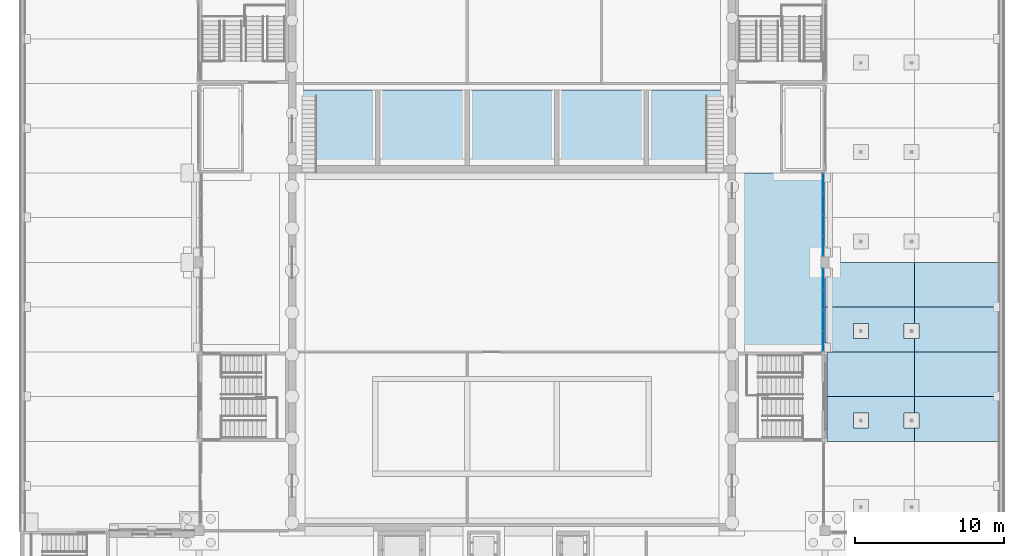
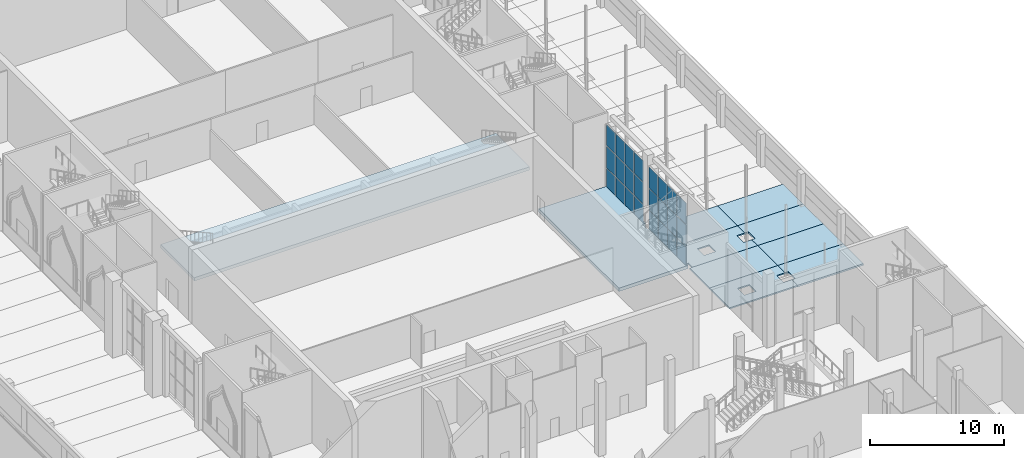
# One storey, part 31 of 95: 24 plates, 10 slabs, 2 elements without a shape of their own.
"""IFC4 building model written with IfcOpenShell, lengths in metres."""

import ifcopenshell
import ifcopenshell.guid

model = None  # the IFC model being written
_history = None  # IfcOwnerHistory: only IFC2X3 demands one
_inside = {}  # id of a spatial element -> (the spatial element, [elements in it])
_under = {}  # id of a project, library or spatial element -> (it, [spatial elements below it])
_declared = {}  # id of a project -> (the project, [libraries it declares])
_typed = {}  # id of a type object -> (the type object, [elements of that type])
_made_of = {}  # id of a material, layer set ... -> (it, [elements and type objects made of it])


def new_model(schema):
    """Start an empty IFC model of exactly this schema.

    Asked for "IFC4X3", IfcOpenShell would pick the latest addendum, in which some entities
    have other attributes; the version numbers below select the first issue.
    IFC2X3 requires an IfcOwnerHistory on every rooted entity: one is made here for all.
    """
    global model, _history
    if schema == "IFC4X3":
        model = ifcopenshell.file(schema_version=(4, 3, 0, 0))
    else:
        model = ifcopenshell.file(schema=schema)
    _inside.clear()
    _under.clear()
    _declared.clear()
    _typed.clear()
    _made_of.clear()
    _history = None
    if model.schema == "IFC2X3":
        org = make("IfcOrganization", Name="unknown")
        user = make(
            "IfcPersonAndOrganization",
            ThePerson=make("IfcPerson", FamilyName="unknown"),
            TheOrganization=org,
        )
        app = make(
            "IfcApplication",
            ApplicationDeveloper=org,
            Version="unknown",
            ApplicationFullName="unknown",
            ApplicationIdentifier="unknown",
        )
        _history = make(
            "IfcOwnerHistory",
            OwningUser=user,
            OwningApplication=app,
            ChangeAction="ADDED",
            CreationDate=0,
        )
    return model


def make(cls, **values):
    """One entity of the class cls with the attributes given. An attribute that is None is left unset."""
    return model.create_entity(
        cls, **{name: value for name, value in values.items() if value is not None}
    )


def rooted(cls, **values):
    """An entity with a GlobalId (a new one), such as an element, a storey or a relation."""
    return make(cls, GlobalId=ifcopenshell.guid.new(), OwnerHistory=_history, **values)


def si_unit(unit_type, name, prefix=None):
    """IfcSIUnit, for example si_unit("LENGTHUNIT", "METRE", prefix="MILLI")."""
    return make("IfcSIUnit", UnitType=unit_type, Prefix=prefix, Name=name)


def assignment(units):
    """IfcUnitAssignment: the units of a project."""
    return None if units is None else make("IfcUnitAssignment", Units=units)


def point(xyz):
    """IfcCartesianPoint."""
    return None if xyz is None else make("IfcCartesianPoint", Coordinates=xyz)


def direction(xyz):
    """IfcDirection."""
    return None if xyz is None else make("IfcDirection", DirectionRatios=xyz)


def frame(location, z_axis=None, x_axis=None):
    """IfcAxis2Placement3D, a coordinate frame: its origin and axes. An axis left out is left unset."""
    return make(
        "IfcAxis2Placement3D",
        Location=point(location),
        Axis=direction(z_axis),
        RefDirection=direction(x_axis),
    )


def frame_2d(location, x_axis=None):
    """IfcAxis2Placement2D, a coordinate frame in the plane: its origin and x axis."""
    return make(
        "IfcAxis2Placement2D", Location=point(location), RefDirection=direction(x_axis)
    )


def origin():
    """The frame at (0, 0, 0) with its axes left unset."""
    return frame((0.0, 0.0, 0.0))


def origin_2d():
    """The frame at (0, 0) in the plane with its x axis left unset."""
    return frame_2d((0.0, 0.0))


def place(relative_to, where):
    """IfcLocalPlacement: puts the frame where relative to a parent placement (None: the world)."""
    return make(
        "IfcLocalPlacement", PlacementRelTo=relative_to, RelativePlacement=where
    )


def context(
    kind, dimensions, precision=None, world=None, true_north=None, identifier=None
):
    """IfcGeometricRepresentationContext, for example the 3D "Model" context."""
    return make(
        "IfcGeometricRepresentationContext",
        ContextIdentifier=identifier,
        ContextType=kind,
        CoordinateSpaceDimension=dimensions,
        Precision=precision,
        WorldCoordinateSystem=world,
        TrueNorth=true_north,
    )


def subcontext(parent, identifier, kind, view, scale=None):
    """IfcGeometricRepresentationSubContext, for example "Body" below "Model"."""
    return make(
        "IfcGeometricRepresentationSubContext",
        ContextIdentifier=identifier,
        ContextType=kind,
        ParentContext=parent,
        TargetScale=scale,
        TargetView=view,
    )


def project(units=None, contexts=None):
    """IfcProject with its units and contexts."""
    return rooted(
        "IfcProject",
        Name="project",
        RepresentationContexts=contexts,
        UnitsInContext=assignment(units),
    )


def spatial(cls, under=None, at=None, **own):
    """A site, building, storey or space (cls), placed at a placement, below another one or the project."""
    s = rooted(cls, ObjectPlacement=at, **own)
    if under is not None:
        _under.setdefault(under.id(), (under, []))[1].append(s)
    return s


def polyline(points):
    """IfcPolyline through the points."""
    return make("IfcPolyline", Points=[point(p) for p in points])


def profile(cls, at=None, kind="AREA", **sizes):
    """A parametric profile (cls). Its sizes go by their IFC names, for example OverallWidth=200.0."""
    return make(cls, ProfileType=kind, Position=at, **sizes)


def rectangle(**sizes):
    """IfcRectangleProfileDef."""
    return profile("IfcRectangleProfileDef", **sizes)


def outline(outer, holes=None, kind="AREA"):
    """IfcArbitraryClosedProfileDef: a profile drawn as a closed curve; with holes, ...WithVoids."""
    if holes is None:
        return make("IfcArbitraryClosedProfileDef", ProfileType=kind, OuterCurve=outer)
    return make(
        "IfcArbitraryProfileDefWithVoids",
        ProfileType=kind,
        OuterCurve=outer,
        InnerCurves=holes,
    )


def extrude(swept, where, along, depth):
    """IfcExtrudedAreaSolid: the profile swept, set in the frame where, extruded along a direction by depth."""
    return make(
        "IfcExtrudedAreaSolid",
        SweptArea=swept,
        Position=where,
        ExtrudedDirection=direction(along),
        Depth=depth,
    )


def shape(context_of_items, identifier, shape_type, items):
    """IfcShapeRepresentation: the items that make up one representation, for example the "Body"."""
    return make(
        "IfcShapeRepresentation",
        ContextOfItems=context_of_items,
        RepresentationIdentifier=identifier,
        RepresentationType=shape_type,
        Items=items,
    )


def material(Name=None, Category=None):
    """IfcMaterial."""
    return make("IfcMaterial", Name=Name, Category=Category)


def layer(
    of_material, thickness, ventilated=None, Name=None, Category=None, Priority=None
):
    """IfcMaterialLayer: one layer of a wall or slab, of a material (None: an air gap)."""
    return make(
        "IfcMaterialLayer",
        Material=of_material,
        LayerThickness=thickness,
        IsVentilated=ventilated,
        Name=Name,
        Category=Category,
        Priority=Priority,
    )


def layer_set(layers, Name=None):
    """IfcMaterialLayerSet."""
    return make("IfcMaterialLayerSet", MaterialLayers=layers, LayerSetName=Name)


def made_of(thing, what):
    """Note that an element or type object is made of a material, layer set ...; save() writes the relation."""
    if what is not None:
        _made_of.setdefault(what.id(), (what, []))[1].append(thing)
    return thing


def type_object(cls, material=None, **own):
    """A type object (cls), such as IfcWallType, which elements share."""
    return made_of(rooted(cls, **own), material)


def element(
    cls,
    number,
    at=None,
    inside=None,
    cuts=None,
    type_object=None,
    material=None,
    context=None,
    identifier="Body",
    shape_type=None,
    held_by="IfcProductDefinitionShape",
    body=None,
    shapes=None,
    **own,
):
    """One element of the class cls, such as IfcWall. Its Tag is "e" and its number.

    at: its placement. inside: the storey or other place that contains it. cuts: it is an
    opening in that element (IfcRelVoidsElement). A single representation is given by context,
    identifier, shape_type and body (its items); several are given by shapes. held_by: the class
    of the entity that holds the representations. save() writes the other relations.
    """
    e = rooted(cls, Tag="e%d" % number, ObjectPlacement=at, **own)
    if body is not None:
        shapes = [shape(context, identifier, shape_type, body)]
    if shapes is not None:
        e.Representation = make(held_by, Representations=shapes)
    if inside is not None:
        _inside.setdefault(inside.id(), (inside, []))[1].append(e)
    if cuts is not None:
        rooted(
            "IfcRelVoidsElement", RelatingBuildingElement=cuts, RelatedOpeningElement=e
        )
    if type_object is not None:
        _typed.setdefault(type_object.id(), (type_object, []))[1].append(e)
    return made_of(e, material)


def aggregate(whole, parts):
    """IfcRelAggregates: a whole, such as a stair, and the parts it consists of."""
    return rooted("IfcRelAggregates", RelatingObject=whole, RelatedObjects=parts)


def save(model, path):
    """Write the relations noted so far, then the file.

    IfcRelAggregates (storeys below a building ...), IfcRelContainedInSpatialStructure (elements
    in a storey), IfcRelDefinesByType, IfcRelAssociatesMaterial and IfcRelDeclares: one each for
    every whole, place, type object, material and project.
    """
    for whole, parts in _under.values():
        aggregate(whole, parts)
    for where, things in _inside.values():
        rooted(
            "IfcRelContainedInSpatialStructure",
            RelatedElements=things,
            RelatingStructure=where,
        )
    for kind, things in _typed.values():
        rooted("IfcRelDefinesByType", RelatedObjects=things, RelatingType=kind)
    for what, things in _made_of.values():
        rooted("IfcRelAssociatesMaterial", RelatedObjects=things, RelatingMaterial=what)
    for by, libraries in _declared.values():
        rooted("IfcRelDeclares", RelatingContext=by, RelatedDefinitions=libraries)
    model.write(path)


model = new_model("IFC4")

# Units and contexts
model_context = context("Model", 3, precision=1e-05, world=origin(), true_north=direction((0.0, 1.0)))
body_context = subcontext(model_context, "Body", "Model", "MODEL_VIEW")
ifc_project = project(units=[si_unit("LENGTHUNIT", "METRE"), si_unit("AREAUNIT", "SQUARE_METRE"), si_unit("VOLUMEUNIT", "CUBIC_METRE"), si_unit("PLANEANGLEUNIT", "RADIAN"), si_unit("MASSUNIT", "GRAM", prefix="KILO")], contexts=[model_context])

# Site, building, storey
site_placement = place(None, origin())
site = spatial("IfcSite", under=ifc_project, at=site_placement, CompositionType="ELEMENT")
building_placement = place(site_placement, origin())
building = spatial("IfcBuilding", under=site, at=building_placement, Name="Saffron Lane Theatres", CompositionType="ELEMENT")
storey_placement = place(building_placement, origin())
storey = spatial("IfcBuildingStorey", under=building, at=storey_placement, Name="L00", CompositionType="ELEMENT", Elevation=0.0)

# Curtain wall, plates
ifc_material_1 = material(Name="Aluminium", Category="aluminium")
curtain_wall_type = type_object("IfcCurtainWallType", Name="EX-CURTAIN WALL 5620x6050x200", PredefinedType="NOTDEFINED", material=ifc_material_1)
curtain_wall_1_placement = place(storey_placement, origin())
curtain_wall_1 = element("IfcCurtainWall", 1, at=curtain_wall_1_placement, inside=storey, type_object=curtain_wall_type, Name="Curtain wall L00 07", PredefinedType="NOTDEFINED")
ifc_material_2 = material(Name="Glass", Category="glass")
ifc_layer_1 = layer(ifc_material_2, 0.031982421875)
ifc_layer_set_1 = layer_set([ifc_layer_1], Name="Glass")
plate_type = type_object("IfcPlateType", Name="EX-CW PANEL GLAZING 32", PredefinedType="CURTAIN_PANEL", material=ifc_layer_set_1)
plate_1_placement = place(storey_placement, frame((53.85009765625, 53.281982421875, 0.06005859375), z_axis=(0.0, 0.0, 1.0), x_axis=(0.0, -1.0, 0.0)))
plate_1 = element("IfcPlate", 2, at=plate_1_placement, type_object=plate_type, Name="CW-00-07 panel 1.1", PredefinedType="CURTAIN_PANEL", context=body_context, shape_type="SweptSolid", body=[
    extrude(rectangle(XDim=1.316162109375, YDim=0.031982421875, at=origin_2d()), origin(), (0.0, 0.0, 1.0), 1.926513671875),
])
plate_2_placement = place(storey_placement, frame((53.85009765625, 53.281982421875, 2.04638671875), z_axis=(0.0, 0.0, 1.0), x_axis=(0.0, -1.0, 0.0)))
plate_2 = element("IfcPlate", 3, at=plate_2_placement, type_object=plate_type, Name="CW-00-07 panel 1.2", PredefinedType="CURTAIN_PANEL", context=body_context, shape_type="SweptSolid", body=[
    extrude(rectangle(XDim=1.316162109375, YDim=0.031982421875, at=origin_2d()), origin(), (0.0, 0.0, 1.0), 1.956787109375),
])
plate_3_placement = place(storey_placement, frame((53.85009765625, 53.281982421875, 4.0634765625), z_axis=(0.0, 0.0, 1.0), x_axis=(0.0, -1.0, 0.0)))
plate_3 = element("IfcPlate", 4, at=plate_3_placement, type_object=plate_type, Name="CW-00-07 panel 1.3", PredefinedType="CURTAIN_PANEL", context=body_context, shape_type="SweptSolid", body=[
    extrude(rectangle(XDim=1.316162109375, YDim=0.031982421875, at=origin_2d()), origin(), (0.0, 0.0, 1.0), 1.926513671875),
])
plate_4_placement = place(storey_placement, frame((53.85009765625, 51.890625, 0.06005859375), z_axis=(0.0, 0.0, 1.0), x_axis=(0.0, -1.0, 0.0)))
plate_4 = element("IfcPlate", 5, at=plate_4_placement, type_object=plate_type, Name="CW-00-07 panel 2.1", PredefinedType="CURTAIN_PANEL", context=body_context, shape_type="SweptSolid", body=[
    extrude(rectangle(XDim=1.34619140625, YDim=0.031982421875, at=origin_2d()), origin(), (0.0, 0.0, 1.0), 1.926513671875),
])
plate_5_placement = place(storey_placement, frame((53.85009765625, 51.890625, 2.04638671875), z_axis=(0.0, 0.0, 1.0), x_axis=(0.0, -1.0, 0.0)))
plate_5 = element("IfcPlate", 6, at=plate_5_placement, type_object=plate_type, Name="CW-00-07 panel 2.2", PredefinedType="CURTAIN_PANEL", context=body_context, shape_type="SweptSolid", body=[
    extrude(rectangle(XDim=1.34619140625, YDim=0.031982421875, at=origin_2d()), origin(), (0.0, 0.0, 1.0), 1.956787109375),
])
plate_6_placement = place(storey_placement, frame((53.85009765625, 51.890625, 4.0634765625), z_axis=(0.0, 0.0, 1.0), x_axis=(0.0, -1.0, 0.0)))
plate_6 = element("IfcPlate", 7, at=plate_6_placement, type_object=plate_type, Name="CW-00-07 panel 2.3", PredefinedType="CURTAIN_PANEL", context=body_context, shape_type="SweptSolid", body=[
    extrude(rectangle(XDim=1.34619140625, YDim=0.031982421875, at=origin_2d()), origin(), (0.0, 0.0, 1.0), 1.926513671875),
])
plate_7_placement = place(storey_placement, frame((53.85009765625, 50.484375, 0.06005859375), z_axis=(0.0, 0.0, 1.0), x_axis=(0.0, -1.0, 0.0)))
plate_7 = element("IfcPlate", 8, at=plate_7_placement, type_object=plate_type, Name="CW-00-07 panel 3.1", PredefinedType="CURTAIN_PANEL", context=body_context, shape_type="SweptSolid", body=[
    extrude(rectangle(XDim=1.34619140625, YDim=0.031982421875, at=origin_2d()), origin(), (0.0, 0.0, 1.0), 1.926513671875),
])
plate_8_placement = place(storey_placement, frame((53.85009765625, 50.484375, 2.04638671875), z_axis=(0.0, 0.0, 1.0), x_axis=(0.0, -1.0, 0.0)))
plate_8 = element("IfcPlate", 9, at=plate_8_placement, type_object=plate_type, Name="CW-00-07 panel 3.2", PredefinedType="CURTAIN_PANEL", context=body_context, shape_type="SweptSolid", body=[
    extrude(rectangle(XDim=1.34619140625, YDim=0.031982421875, at=origin_2d()), origin(), (0.0, 0.0, 1.0), 1.956787109375),
])
plate_9_placement = place(storey_placement, frame((53.85009765625, 50.484375, 4.0634765625), z_axis=(0.0, 0.0, 1.0), x_axis=(0.0, -1.0, 0.0)))
plate_9 = element("IfcPlate", 10, at=plate_9_placement, type_object=plate_type, Name="CW-00-07 panel 3.3", PredefinedType="CURTAIN_PANEL", context=body_context, shape_type="SweptSolid", body=[
    extrude(rectangle(XDim=1.34619140625, YDim=0.031982421875, at=origin_2d()), origin(), (0.0, 0.0, 1.0), 1.926513671875),
])
plate_10_placement = place(storey_placement, frame((53.85009765625, 49.093017578125, 0.06005859375), z_axis=(0.0, 0.0, 1.0), x_axis=(0.0, -1.0, 0.0)))
plate_10 = element("IfcPlate", 11, at=plate_10_placement, type_object=plate_type, Name="CW-00-07 panel 4.1", PredefinedType="CURTAIN_PANEL", context=body_context, shape_type="SweptSolid", body=[
    extrude(rectangle(XDim=1.316162109375, YDim=0.031982421875, at=origin_2d()), origin(), (0.0, 0.0, 1.0), 1.926513671875),
])
plate_11_placement = place(storey_placement, frame((53.85009765625, 49.093017578125, 2.04638671875), z_axis=(0.0, 0.0, 1.0), x_axis=(0.0, -1.0, 0.0)))
plate_11 = element("IfcPlate", 12, at=plate_11_placement, type_object=plate_type, Name="CW-00-07 panel 4.2", PredefinedType="CURTAIN_PANEL", context=body_context, shape_type="SweptSolid", body=[
    extrude(rectangle(XDim=1.316162109375, YDim=0.031982421875, at=origin_2d()), origin(), (0.0, 0.0, 1.0), 1.956787109375),
])
plate_12_placement = place(storey_placement, frame((53.85009765625, 49.093017578125, 4.0634765625), z_axis=(0.0, 0.0, 1.0), x_axis=(0.0, -1.0, 0.0)))
plate_12 = element("IfcPlate", 13, at=plate_12_placement, type_object=plate_type, Name="CW-00-07 panel 4.3", PredefinedType="CURTAIN_PANEL", context=body_context, shape_type="SweptSolid", body=[
    extrude(rectangle(XDim=1.316162109375, YDim=0.031982421875, at=origin_2d()), origin(), (0.0, 0.0, 1.0), 1.926513671875),
])
aggregate(curtain_wall_1, [plate_1, plate_2, plate_3, plate_4, plate_5, plate_6, plate_7, plate_8, plate_9, plate_10, plate_11, plate_12])

curtain_wall_2_placement = place(storey_placement, origin())
curtain_wall_2 = element("IfcCurtainWall", 14, at=curtain_wall_2_placement, inside=storey, type_object=curtain_wall_type, Name="Curtain wall L00 08", PredefinedType="NOTDEFINED")
plate_13_placement = place(storey_placement, frame((53.85009765625, 46.906982421875, 0.06005859375), z_axis=(0.0, 0.0, 1.0), x_axis=(0.0, -1.0, 0.0)))
plate_13 = element("IfcPlate", 15, at=plate_13_placement, type_object=plate_type, Name="CW-00-08 panel 1.1", PredefinedType="CURTAIN_PANEL", context=body_context, shape_type="SweptSolid", body=[
    extrude(rectangle(XDim=1.316162109375, YDim=0.031982421875, at=origin_2d()), origin(), (0.0, 0.0, 1.0), 1.926513671875),
])
plate_14_placement = place(storey_placement, frame((53.85009765625, 46.906982421875, 2.04638671875), z_axis=(0.0, 0.0, 1.0), x_axis=(0.0, -1.0, 0.0)))
plate_14 = element("IfcPlate", 16, at=plate_14_placement, type_object=plate_type, Name="CW-00-08 panel 1.2", PredefinedType="CURTAIN_PANEL", context=body_context, shape_type="SweptSolid", body=[
    extrude(rectangle(XDim=1.316162109375, YDim=0.031982421875, at=origin_2d()), origin(), (0.0, 0.0, 1.0), 1.956787109375),
])
plate_15_placement = place(storey_placement, frame((53.85009765625, 46.906982421875, 4.0634765625), z_axis=(0.0, 0.0, 1.0), x_axis=(0.0, -1.0, 0.0)))
plate_15 = element("IfcPlate", 17, at=plate_15_placement, type_object=plate_type, Name="CW-00-08 panel 1.3", PredefinedType="CURTAIN_PANEL", context=body_context, shape_type="SweptSolid", body=[
    extrude(rectangle(XDim=1.316162109375, YDim=0.031982421875, at=origin_2d()), origin(), (0.0, 0.0, 1.0), 1.926513671875),
])
plate_16_placement = place(storey_placement, frame((53.85009765625, 45.515625, 0.06005859375), z_axis=(0.0, 0.0, 1.0), x_axis=(0.0, -1.0, 0.0)))
plate_16 = element("IfcPlate", 18, at=plate_16_placement, type_object=plate_type, Name="CW-00-08 panel 2.1", PredefinedType="CURTAIN_PANEL", context=body_context, shape_type="SweptSolid", body=[
    extrude(rectangle(XDim=1.34619140625, YDim=0.031982421875, at=origin_2d()), origin(), (0.0, 0.0, 1.0), 1.926513671875),
])
plate_17_placement = place(storey_placement, frame((53.85009765625, 45.515625, 2.04638671875), z_axis=(0.0, 0.0, 1.0), x_axis=(0.0, -1.0, 0.0)))
plate_17 = element("IfcPlate", 19, at=plate_17_placement, type_object=plate_type, Name="CW-00-08 panel 2.2", PredefinedType="CURTAIN_PANEL", context=body_context, shape_type="SweptSolid", body=[
    extrude(rectangle(XDim=1.34619140625, YDim=0.031982421875, at=origin_2d()), origin(), (0.0, 0.0, 1.0), 1.956787109375),
])
plate_18_placement = place(storey_placement, frame((53.85009765625, 45.515625, 4.0634765625), z_axis=(0.0, 0.0, 1.0), x_axis=(0.0, -1.0, 0.0)))
plate_18 = element("IfcPlate", 20, at=plate_18_placement, type_object=plate_type, Name="CW-00-08 panel 2.3", PredefinedType="CURTAIN_PANEL", context=body_context, shape_type="SweptSolid", body=[
    extrude(rectangle(XDim=1.34619140625, YDim=0.031982421875, at=origin_2d()), origin(), (0.0, 0.0, 1.0), 1.926513671875),
])
plate_19_placement = place(storey_placement, frame((53.85009765625, 44.109375, 0.06005859375), z_axis=(0.0, 0.0, 1.0), x_axis=(0.0, -1.0, 0.0)))
plate_19 = element("IfcPlate", 21, at=plate_19_placement, type_object=plate_type, Name="CW-00-08 panel 3.1", PredefinedType="CURTAIN_PANEL", context=body_context, shape_type="SweptSolid", body=[
    extrude(rectangle(XDim=1.34619140625, YDim=0.031982421875, at=origin_2d()), origin(), (0.0, 0.0, 1.0), 1.926513671875),
])
plate_20_placement = place(storey_placement, frame((53.85009765625, 44.109375, 2.04638671875), z_axis=(0.0, 0.0, 1.0), x_axis=(0.0, -1.0, 0.0)))
plate_20 = element("IfcPlate", 22, at=plate_20_placement, type_object=plate_type, Name="CW-00-08 panel 3.2", PredefinedType="CURTAIN_PANEL", context=body_context, shape_type="SweptSolid", body=[
    extrude(rectangle(XDim=1.34619140625, YDim=0.031982421875, at=origin_2d()), origin(), (0.0, 0.0, 1.0), 1.956787109375),
])
plate_21_placement = place(storey_placement, frame((53.85009765625, 44.109375, 4.0634765625), z_axis=(0.0, 0.0, 1.0), x_axis=(0.0, -1.0, 0.0)))
plate_21 = element("IfcPlate", 23, at=plate_21_placement, type_object=plate_type, Name="CW-00-08 panel 3.3", PredefinedType="CURTAIN_PANEL", context=body_context, shape_type="SweptSolid", body=[
    extrude(rectangle(XDim=1.34619140625, YDim=0.031982421875, at=origin_2d()), origin(), (0.0, 0.0, 1.0), 1.926513671875),
])
plate_22_placement = place(storey_placement, frame((53.85009765625, 42.718017578125, 0.06005859375), z_axis=(0.0, 0.0, 1.0), x_axis=(0.0, -1.0, 0.0)))
plate_22 = element("IfcPlate", 24, at=plate_22_placement, type_object=plate_type, Name="CW-00-08 panel 4.1", PredefinedType="CURTAIN_PANEL", context=body_context, shape_type="SweptSolid", body=[
    extrude(rectangle(XDim=1.316162109375, YDim=0.031982421875, at=origin_2d()), origin(), (0.0, 0.0, 1.0), 1.926513671875),
])
plate_23_placement = place(storey_placement, frame((53.85009765625, 42.718017578125, 2.04638671875), z_axis=(0.0, 0.0, 1.0), x_axis=(0.0, -1.0, 0.0)))
plate_23 = element("IfcPlate", 25, at=plate_23_placement, type_object=plate_type, Name="CW-00-08 panel 4.2", PredefinedType="CURTAIN_PANEL", context=body_context, shape_type="SweptSolid", body=[
    extrude(rectangle(XDim=1.316162109375, YDim=0.031982421875, at=origin_2d()), origin(), (0.0, 0.0, 1.0), 1.956787109375),
])
plate_24_placement = place(storey_placement, frame((53.85009765625, 42.718017578125, 4.0634765625), z_axis=(0.0, 0.0, 1.0), x_axis=(0.0, -1.0, 0.0)))
plate_24 = element("IfcPlate", 26, at=plate_24_placement, type_object=plate_type, Name="CW-00-08 panel 4.3", PredefinedType="CURTAIN_PANEL", context=body_context, shape_type="SweptSolid", body=[
    extrude(rectangle(XDim=1.316162109375, YDim=0.031982421875, at=origin_2d()), origin(), (0.0, 0.0, 1.0), 1.926513671875),
])
aggregate(curtain_wall_2, [plate_13, plate_14, plate_15, plate_16, plate_17, plate_18, plate_19, plate_20, plate_21, plate_22, plate_23, plate_24])

# Slabs
ifc_material_3 = material(Name="Masonry bluestone paving", Category="masonry")
ifc_layer_2 = layer(ifc_material_3, 0.1201171875)
ifc_layer_set_2 = layer_set([ifc_layer_2], Name="Masonry bluestone paving")
slab_type_1 = type_object("IfcSlabType", Name="EX-PAVING BLUESTONE 120", PredefinedType="USERDEFINED", material=ifc_layer_set_2)
slab_1_placement = place(storey_placement, frame((0.0, 0.0, -0.1201171875)))
element("IfcSlab", 27, at=slab_1_placement, inside=storey, type_object=slab_type_1, Name="Saffron Lane passage paving 4", ObjectType="PAVING", PredefinedType="USERDEFINED", context=body_context, shape_type="SweptSolid", body=[
    extrude(outline(polyline([(60.0, 39.0), (60.0, 42.0), (54.35400390625, 42.0), (54.35400390625, 41.99951171875), (54.35400390625, 41.999267578125), (54.353759765625, 41.998779296875), (54.353759765625, 41.99853515625), (54.353515625, 41.998046875), (54.353271484375, 41.997802734375), (54.35302734375, 41.99755859375), (54.352783203125, 41.9970703125), (54.3525390625, 41.996826171875), (54.352294921875, 41.99658203125), (54.351806640625, 41.99658203125), (54.3515625, 41.996337890625), (54.35107421875, 41.99609375), (54.350830078125, 41.99609375), (54.350341796875, 41.99609375), (54.35009765625, 41.99609375), (54.1201171875, 41.99609375), (54.1201171875, 39.0), (60.0, 39.0)])), origin(), (0.0, 0.0, 1.0), 0.1201171875),
])
slab_2_placement = place(storey_placement, frame((0.0, 0.0, -0.1201171875)))
element("IfcSlab", 28, at=slab_2_placement, inside=storey, type_object=slab_type_1, Name="Saffron Lane passage paving 6", ObjectType="PAVING", PredefinedType="USERDEFINED", context=body_context, shape_type="SweptSolid", body=[
    extrude(outline(polyline([(60.0, 45.0), (60.0, 48.0), (54.279052734375, 48.0), (54.279052734375, 47.62890625), (54.35009765625, 47.62890625), (54.350341796875, 47.62890625), (54.350830078125, 47.62890625), (54.35107421875, 47.62890625), (54.3515625, 47.628662109375), (54.351806640625, 47.62841796875), (54.352294921875, 47.62841796875), (54.3525390625, 47.628173828125), (54.352783203125, 47.6279296875), (54.35302734375, 47.62744140625), (54.353271484375, 47.627197265625), (54.353515625, 47.626953125), (54.353759765625, 47.62646484375), (54.353759765625, 47.626220703125), (54.35400390625, 47.625732421875), (54.35400390625, 47.62548828125), (54.35400390625, 47.625), (54.35400390625, 47.02490234375), (54.35400390625, 47.024658203125), (54.35400390625, 47.024169921875), (54.353759765625, 47.02392578125), (54.353759765625, 47.0234375), (54.353515625, 47.023193359375), (54.353271484375, 47.022705078125), (54.35302734375, 47.0224609375), (54.352783203125, 47.022216796875), (54.3525390625, 47.02197265625), (54.352294921875, 47.021728515625), (54.351806640625, 47.021484375), (54.3515625, 47.021240234375), (54.35107421875, 47.021240234375), (54.350830078125, 47.02099609375), (54.350341796875, 47.02099609375), (54.35009765625, 47.02099609375), (54.00390625, 47.02099609375), (54.00390625, 45.0), (60.0, 45.0)])), origin(), (0.0, 0.0, 1.0), 0.1201171875),
])
ifc_material_4 = material(Name="Masonry bluestone paving", Category="masonry")
ifc_layer_3 = layer(ifc_material_4, 0.14990234375)
ifc_layer_set_3 = layer_set([ifc_layer_3], Name="Masonry bluestone paving")
slab_type_2 = type_object("IfcSlabType", Name="EX-PAVING BLUESTONE 150", PredefinedType="USERDEFINED", material=ifc_layer_set_3)
slab_3_placement = place(storey_placement, frame((0.0, 0.0, -0.14990234375)))
element("IfcSlab", 29, at=slab_3_placement, inside=storey, type_object=slab_type_2, Name="East court paving 7", ObjectType="PAVING", PredefinedType="USERDEFINED", context=body_context, shape_type="SweptSolid", body=[
    extrude(outline(polyline([(60.0, 42.0), (60.0, 39.0), (65.68603515625, 39.0), (65.68603515625, 42.0), (60.0, 42.0)])), origin(), (0.0, 0.0, 1.0), 0.14990234375),
])
slab_4_placement = place(storey_placement, frame((0.0, 0.0, -0.14990234375)))
element("IfcSlab", 30, at=slab_4_placement, inside=storey, type_object=slab_type_2, Name="East court paving 11", ObjectType="PAVING", PredefinedType="USERDEFINED", context=body_context, shape_type="SweptSolid", body=[
    extrude(outline(polyline([(60.0, 48.0), (60.0, 45.0), (65.68603515625, 45.0), (65.68603515625, 48.0), (60.0, 48.0)])), origin(), (0.0, 0.0, 1.0), 0.14990234375),
])
ifc_material_5 = material(Name="Masonry sandstone paving", Category="masonry")
ifc_layer_4 = layer(ifc_material_5, 0.1201171875)
ifc_layer_set_4 = layer_set([ifc_layer_4], Name="Masonry sandstone paving")
slab_type_3 = type_object("IfcSlabType", Name="EX-PAVING SANDSTONE 120", PredefinedType="USERDEFINED", material=ifc_layer_set_4)
slab_5_placement = place(storey_placement, frame((0.0, 0.0, -0.1201171875)))
element("IfcSlab", 31, at=slab_5_placement, inside=storey, type_object=slab_type_3, Name="Saffron Lane passage paving 3", ObjectType="PAVING", PredefinedType="USERDEFINED", context=body_context, shape_type="SweptSolid", body=[
    extrude(outline(polyline([(60.0, 37.904052734375), (60.0, 39.0), (54.1201171875, 39.0), (54.1201171875, 36.0), (60.0, 36.0), (60.0, 36.89599609375), (59.300048828125, 36.89599609375), (59.299560546875, 36.89599609375), (59.29931640625, 36.89599609375), (59.298828125, 36.896240234375), (59.298583984375, 36.896240234375), (59.298095703125, 36.896484375), (59.2978515625, 36.896728515625), (59.29736328125, 36.89697265625), (59.297119140625, 36.897216796875), (59.296875, 36.8974609375), (59.296630859375, 36.897705078125), (59.29638671875, 36.898193359375), (59.29638671875, 36.8984375), (59.296142578125, 36.89892578125), (59.296142578125, 36.899169921875), (59.2958984375, 36.899658203125), (59.2958984375, 36.89990234375), (59.2958984375, 37.89990234375), (59.2958984375, 37.900390625), (59.296142578125, 37.90087890625), (59.296142578125, 37.901123046875), (59.29638671875, 37.901611328125), (59.29638671875, 37.90185546875), (59.296630859375, 37.90234375), (59.296875, 37.902587890625), (59.297119140625, 37.90283203125), (59.29736328125, 37.903076171875), (59.2978515625, 37.9033203125), (59.298095703125, 37.903564453125), (59.298583984375, 37.90380859375), (59.298828125, 37.90380859375), (59.29931640625, 37.90380859375), (59.299560546875, 37.904052734375), (59.300048828125, 37.904052734375), (60.0, 37.904052734375)]), holes=[polyline([(55.89599609375, 37.90087890625), (55.896240234375, 37.901123046875), (55.896240234375, 37.901611328125), (55.896484375, 37.90185546875), (55.896728515625, 37.90234375), (55.89697265625, 37.902587890625), (55.897216796875, 37.90283203125), (55.8974609375, 37.903076171875), (55.897705078125, 37.9033203125), (55.898193359375, 37.903564453125), (55.8984375, 37.90380859375), (55.89892578125, 37.90380859375), (55.899169921875, 37.90380859375), (55.899658203125, 37.904052734375), (55.89990234375, 37.904052734375), (56.89990234375, 37.904052734375), (56.900390625, 37.904052734375), (56.90087890625, 37.90380859375), (56.901123046875, 37.90380859375), (56.901611328125, 37.90380859375), (56.90185546875, 37.903564453125), (56.90234375, 37.9033203125), (56.902587890625, 37.903076171875), (56.90283203125, 37.90283203125), (56.903076171875, 37.902587890625), (56.9033203125, 37.90234375), (56.903564453125, 37.90185546875), (56.90380859375, 37.901611328125), (56.90380859375, 37.901123046875), (56.90380859375, 37.90087890625), (56.904052734375, 37.900390625), (56.904052734375, 37.89990234375), (56.904052734375, 36.89990234375), (56.904052734375, 36.899658203125), (56.90380859375, 36.899169921875), (56.90380859375, 36.89892578125), (56.90380859375, 36.8984375), (56.903564453125, 36.898193359375), (56.9033203125, 36.897705078125), (56.903076171875, 36.8974609375), (56.90283203125, 36.897216796875), (56.902587890625, 36.89697265625), (56.90234375, 36.896728515625), (56.90185546875, 36.896484375), (56.901611328125, 36.896240234375), (56.901123046875, 36.896240234375), (56.90087890625, 36.89599609375), (56.900390625, 36.89599609375), (56.89990234375, 36.89599609375), (55.89990234375, 36.89599609375), (55.899658203125, 36.89599609375), (55.899169921875, 36.89599609375), (55.89892578125, 36.896240234375), (55.8984375, 36.896240234375), (55.898193359375, 36.896484375), (55.897705078125, 36.896728515625), (55.8974609375, 36.89697265625), (55.897216796875, 36.897216796875), (55.89697265625, 36.8974609375), (55.896728515625, 36.897705078125), (55.896484375, 36.898193359375), (55.896240234375, 36.8984375), (55.896240234375, 36.89892578125), (55.89599609375, 36.899169921875), (55.89599609375, 36.899658203125), (55.89599609375, 36.89990234375), (55.89599609375, 37.89990234375), (55.89599609375, 37.900390625), (55.89599609375, 37.90087890625)])]), origin(), (0.0, 0.0, 1.0), 0.1201171875),
])
slab_6_placement = place(storey_placement, frame((0.0, 0.0, -0.1201171875)))
element("IfcSlab", 32, at=slab_6_placement, inside=storey, type_object=slab_type_3, Name="Saffron Lane passage paving 5", ObjectType="PAVING", PredefinedType="USERDEFINED", context=body_context, shape_type="SweptSolid", body=[
    extrude(outline(polyline([(60.0, 43.904052734375), (60.0, 45.0), (54.00390625, 45.0), (54.00390625, 42.60400390625), (54.35009765625, 42.60400390625), (54.350341796875, 42.60400390625), (54.350830078125, 42.60400390625), (54.35107421875, 42.603759765625), (54.3515625, 42.603759765625), (54.351806640625, 42.603515625), (54.352294921875, 42.603271484375), (54.3525390625, 42.60302734375), (54.352783203125, 42.602783203125), (54.35302734375, 42.6025390625), (54.353271484375, 42.602294921875), (54.353515625, 42.601806640625), (54.353759765625, 42.6015625), (54.353759765625, 42.60107421875), (54.35400390625, 42.600830078125), (54.35400390625, 42.600341796875), (54.35400390625, 42.60009765625), (54.35400390625, 42.0), (60.0, 42.0), (60.0, 42.89599609375), (59.300048828125, 42.89599609375), (59.299560546875, 42.89599609375), (59.29931640625, 42.89599609375), (59.298828125, 42.896240234375), (59.298583984375, 42.896240234375), (59.298095703125, 42.896484375), (59.2978515625, 42.896728515625), (59.29736328125, 42.89697265625), (59.297119140625, 42.897216796875), (59.296875, 42.8974609375), (59.296630859375, 42.897705078125), (59.29638671875, 42.898193359375), (59.29638671875, 42.8984375), (59.296142578125, 42.89892578125), (59.296142578125, 42.899169921875), (59.2958984375, 42.899658203125), (59.2958984375, 42.89990234375), (59.2958984375, 43.89990234375), (59.2958984375, 43.900390625), (59.296142578125, 43.90087890625), (59.296142578125, 43.901123046875), (59.29638671875, 43.901611328125), (59.29638671875, 43.90185546875), (59.296630859375, 43.90234375), (59.296875, 43.902587890625), (59.297119140625, 43.90283203125), (59.29736328125, 43.903076171875), (59.2978515625, 43.9033203125), (59.298095703125, 43.903564453125), (59.298583984375, 43.90380859375), (59.298828125, 43.90380859375), (59.29931640625, 43.90380859375), (59.299560546875, 43.904052734375), (59.300048828125, 43.904052734375), (60.0, 43.904052734375)]), holes=[polyline([(55.89599609375, 43.90087890625), (55.896240234375, 43.901123046875), (55.896240234375, 43.901611328125), (55.896484375, 43.90185546875), (55.896728515625, 43.90234375), (55.89697265625, 43.902587890625), (55.897216796875, 43.90283203125), (55.8974609375, 43.903076171875), (55.897705078125, 43.9033203125), (55.898193359375, 43.903564453125), (55.8984375, 43.90380859375), (55.89892578125, 43.90380859375), (55.899169921875, 43.90380859375), (55.899658203125, 43.904052734375), (55.89990234375, 43.904052734375), (56.89990234375, 43.904052734375), (56.900390625, 43.904052734375), (56.90087890625, 43.90380859375), (56.901123046875, 43.90380859375), (56.901611328125, 43.90380859375), (56.90185546875, 43.903564453125), (56.90234375, 43.9033203125), (56.902587890625, 43.903076171875), (56.90283203125, 43.90283203125), (56.903076171875, 43.902587890625), (56.9033203125, 43.90234375), (56.903564453125, 43.90185546875), (56.90380859375, 43.901611328125), (56.90380859375, 43.901123046875), (56.90380859375, 43.90087890625), (56.904052734375, 43.900390625), (56.904052734375, 43.89990234375), (56.904052734375, 42.89990234375), (56.904052734375, 42.899658203125), (56.90380859375, 42.899169921875), (56.90380859375, 42.89892578125), (56.90380859375, 42.8984375), (56.903564453125, 42.898193359375), (56.9033203125, 42.897705078125), (56.903076171875, 42.8974609375), (56.90283203125, 42.897216796875), (56.902587890625, 42.89697265625), (56.90234375, 42.896728515625), (56.90185546875, 42.896484375), (56.901611328125, 42.896240234375), (56.901123046875, 42.896240234375), (56.90087890625, 42.89599609375), (56.900390625, 42.89599609375), (56.89990234375, 42.89599609375), (55.89990234375, 42.89599609375), (55.899658203125, 42.89599609375), (55.899169921875, 42.89599609375), (55.89892578125, 42.896240234375), (55.8984375, 42.896240234375), (55.898193359375, 42.896484375), (55.897705078125, 42.896728515625), (55.8974609375, 42.89697265625), (55.897216796875, 42.897216796875), (55.89697265625, 42.8974609375), (55.896728515625, 42.897705078125), (55.896484375, 42.898193359375), (55.896240234375, 42.8984375), (55.896240234375, 42.89892578125), (55.89599609375, 42.899169921875), (55.89599609375, 42.899658203125), (55.89599609375, 42.89990234375), (55.89599609375, 43.89990234375), (55.89599609375, 43.900390625), (55.89599609375, 43.90087890625)])]), origin(), (0.0, 0.0, 1.0), 0.1201171875),
])
ifc_material_6 = material(Name="Masonry sandstone paving", Category="masonry")
ifc_layer_5 = layer(ifc_material_6, 0.14990234375)
ifc_layer_set_5 = layer_set([ifc_layer_5], Name="Masonry sandstone paving")
slab_type_4 = type_object("IfcSlabType", Name="EX-PAVING SANDSTONE 150", PredefinedType="USERDEFINED", material=ifc_layer_set_5)
slab_7_placement = place(storey_placement, frame((0.0, 0.0, -0.14990234375)))
element("IfcSlab", 33, at=slab_7_placement, inside=storey, type_object=slab_type_4, Name="East court paving 5", ObjectType="PAVING", PredefinedType="USERDEFINED", context=body_context, shape_type="SweptSolid", body=[
    extrude(outline(polyline([(60.0, 36.89599609375), (60.0, 36.0), (65.68603515625, 36.0), (65.68603515625, 39.0), (60.0, 39.0), (60.0, 37.904052734375), (60.300048828125, 37.904052734375), (60.30029296875, 37.904052734375), (60.30078125, 37.90380859375), (60.30126953125, 37.90380859375), (60.301513671875, 37.90380859375), (60.302001953125, 37.903564453125), (60.30224609375, 37.9033203125), (60.302490234375, 37.903076171875), (60.302734375, 37.90283203125), (60.302978515625, 37.902587890625), (60.30322265625, 37.90234375), (60.303466796875, 37.90185546875), (60.3037109375, 37.901611328125), (60.3037109375, 37.901123046875), (60.303955078125, 37.90087890625), (60.303955078125, 37.900390625), (60.303955078125, 37.89990234375), (60.303955078125, 36.89990234375), (60.303955078125, 36.899658203125), (60.303955078125, 36.899169921875), (60.3037109375, 36.89892578125), (60.3037109375, 36.8984375), (60.303466796875, 36.898193359375), (60.30322265625, 36.897705078125), (60.302978515625, 36.8974609375), (60.302734375, 36.897216796875), (60.302490234375, 36.89697265625), (60.30224609375, 36.896728515625), (60.302001953125, 36.896484375), (60.301513671875, 36.896240234375), (60.30126953125, 36.896240234375), (60.30078125, 36.89599609375), (60.30029296875, 36.89599609375), (60.300048828125, 36.89599609375), (60.0, 36.89599609375)])), origin(), (0.0, 0.0, 1.0), 0.14990234375),
])
slab_8_placement = place(storey_placement, frame((0.0, 0.0, -0.14990234375)))
element("IfcSlab", 34, at=slab_8_placement, inside=storey, type_object=slab_type_4, Name="East court paving 9", ObjectType="PAVING", PredefinedType="USERDEFINED", context=body_context, shape_type="SweptSolid", body=[
    extrude(outline(polyline([(60.0, 42.89599609375), (60.0, 42.0), (65.68603515625, 42.0), (65.68603515625, 45.0), (60.0, 45.0), (60.0, 43.904052734375), (60.300048828125, 43.904052734375), (60.30029296875, 43.904052734375), (60.30078125, 43.90380859375), (60.30126953125, 43.90380859375), (60.301513671875, 43.90380859375), (60.302001953125, 43.903564453125), (60.30224609375, 43.9033203125), (60.302490234375, 43.903076171875), (60.302734375, 43.90283203125), (60.302978515625, 43.902587890625), (60.30322265625, 43.90234375), (60.303466796875, 43.90185546875), (60.3037109375, 43.901611328125), (60.3037109375, 43.901123046875), (60.303955078125, 43.90087890625), (60.303955078125, 43.900390625), (60.303955078125, 43.89990234375), (60.303955078125, 42.89990234375), (60.303955078125, 42.899658203125), (60.303955078125, 42.899169921875), (60.3037109375, 42.89892578125), (60.3037109375, 42.8984375), (60.303466796875, 42.898193359375), (60.30322265625, 42.897705078125), (60.302978515625, 42.8974609375), (60.302734375, 42.897216796875), (60.302490234375, 42.89697265625), (60.30224609375, 42.896728515625), (60.302001953125, 42.896484375), (60.301513671875, 42.896240234375), (60.30126953125, 42.896240234375), (60.30078125, 42.89599609375), (60.30029296875, 42.89599609375), (60.300048828125, 42.89599609375), (60.0, 42.89599609375)])), origin(), (0.0, 0.0, 1.0), 0.14990234375),
])
ifc_material_7 = material(Name="Concrete N40 (40 MPa)", Category="concrete")
ifc_layer_6 = layer(ifc_material_7, 0.300048828125)
ifc_layer_set_6 = layer_set([ifc_layer_6], Name="Concrete N40 (40 MPa)")
slab_type_5 = type_object("IfcSlabType", Name="RC-SLAB BASE 300", PredefinedType="BASESLAB", material=ifc_layer_set_6)
slab_9_placement = place(storey_placement, origin())
element("IfcSlab", 35, at=slab_9_placement, inside=storey, type_object=slab_type_5, Name="slab-L00-STAGE-5", PredefinedType="BASESLAB", context=body_context, shape_type="SweptSolid", body=[
    extrude(outline(polyline([(48.0, 42.0), (54.0, 42.0), (54.0, 47.623046875), (53.722900390625, 47.623046875), (53.722900390625, 48.376953125), (54.0, 48.376953125), (54.0, 54.0), (51.0, 54.0), (48.0, 54.0), (48.0, 42.0)])), origin(), (0.0, 0.0, 1.0), 0.300048828125),
])
ifc_material_8 = material(Name="Concrete N40 (40 MPa)", Category="concrete")
ifc_layer_7 = layer(ifc_material_8, 0.300048828125)
ifc_layer_set_7 = layer_set([ifc_layer_7], Name="Concrete N40 (40 MPa)")
slab_type_6 = type_object("IfcSlabType", Name="RC-SLAB PIT 300", PredefinedType="FLOOR", material=ifc_layer_set_7)
slab_10_placement = place(storey_placement, frame((0.0, 0.0, 3.699951171875)))
element("IfcSlab", 36, at=slab_10_placement, inside=storey, type_object=slab_type_6, Name="slab-L00-pit-deck", PredefinedType="FLOOR", context=body_context, shape_type="SweptSolid", body=[
    extrude(outline(polyline([(18.5, 54.5), (47.5, 54.5), (47.5, 59.550048828125), (18.5, 59.550048828125), (18.5, 54.5)])), origin(), (0.0, 0.0, 1.0), 0.300048828125),
])

save(model, "model.ifc")
